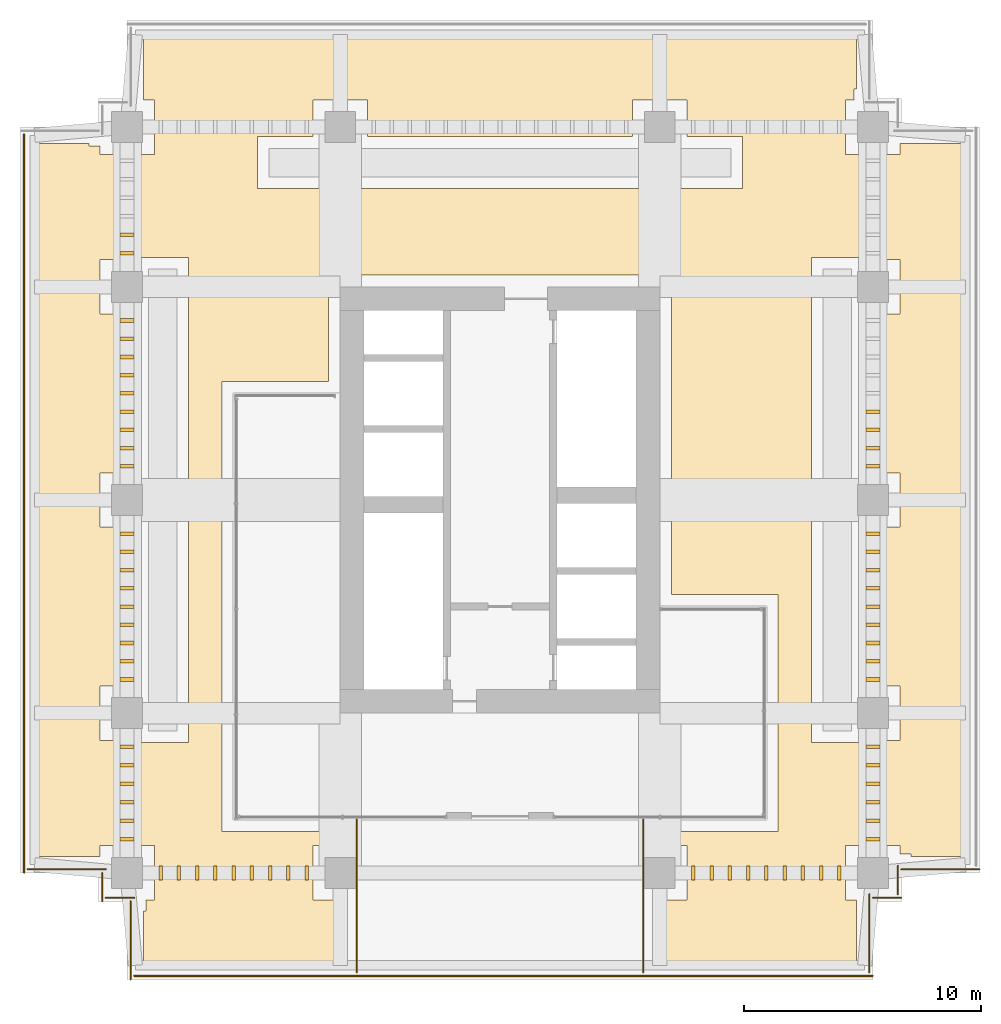
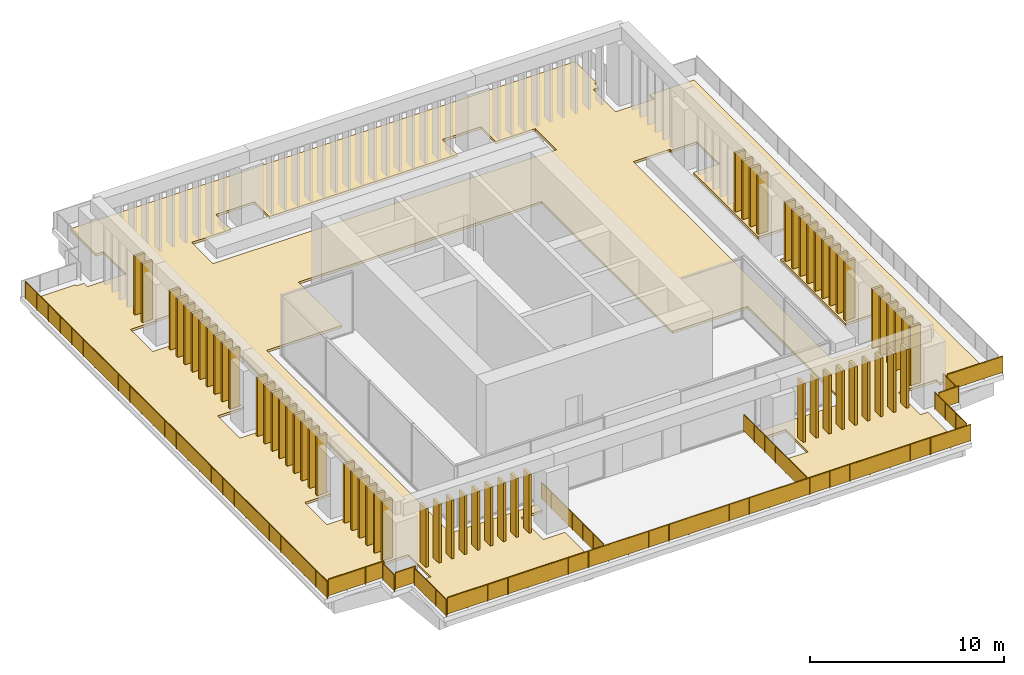
# One storey, part 8 of 9: 63 shading devices, 12 railings, 1 covering.
"""IFC4 building model written with IfcOpenShell, lengths in metres."""

from ifc_helpers import new_model, si_unit, direction, frame, origin, origin_2d, place, context, subcontext, project, spatial, polyline, rectangle, circle, outline, extrude, material, layer, layer_set, type_object, element, save


model = new_model("IFC4")

# Units and contexts
model_context = context("Model", 3, precision=1e-05, world=origin(), true_north=direction((0.0, 1.0)))
body_context = subcontext(model_context, "Body", "Model", "MODEL_VIEW")
ifc_project = project(units=[si_unit("LENGTHUNIT", "METRE"), si_unit("AREAUNIT", "SQUARE_METRE"), si_unit("VOLUMEUNIT", "CUBIC_METRE"), si_unit("PLANEANGLEUNIT", "RADIAN"), si_unit("MASSUNIT", "GRAM", prefix="KILO")], contexts=[model_context])

# Site, building, storey
site_placement = place(None, origin())
site = spatial("IfcSite", under=ifc_project, at=site_placement, CompositionType="ELEMENT")
building_placement = place(site_placement, origin())
building = spatial("IfcBuilding", under=site, at=building_placement, Name="Namib Vertical Campus", CompositionType="ELEMENT")
storey_placement = place(building_placement, frame((0.0, 0.0, 297.0)))
storey = spatial("IfcBuildingStorey", under=building, at=storey_placement, Name="L70", CompositionType="ELEMENT", Elevation=297.0)

# Shading devices
ifc_material_1 = material(Name="Black anodised aluminium", Category="aluminium")
ifc_layer_1 = layer(ifc_material_1, 0.14990234375)
ifc_layer_set_1 = layer_set([ifc_layer_1], Name="Crown screen fin 150x600")
shading_device_type = type_object("IfcShadingDeviceType", Name="Crown screen fin 150x600", PredefinedType="SHUTTER", material=ifc_layer_set_1)
for number, where, z_axis, x_axis, name in (
    (1, (5.919921875, 4.5, 0.14990234375), (0.0, 0.0, 1.0), (1.0, 0.0, 0.0), "Crown screen fin CF1 S 1"),
    (2, (6.68994140625, 4.5, 0.14990234375), (0.0, 0.0, 1.0), (1.0, 0.0, 0.0), "Crown screen fin CF1 S 2"),
    (3, (7.4599609375, 4.5, 0.14990234375), (0.0, 0.0, 1.0), (1.0, 0.0, 0.0), "Crown screen fin CF1 S 3"),
    (4, (8.22998046875, 4.5, 0.14990234375), (0.0, 0.0, 1.0), (1.0, 0.0, 0.0), "Crown screen fin CF1 S 4"),
    (5, (9.0, 4.5, 0.14990234375), (0.0, 0.0, 1.0), (1.0, 0.0, 0.0), "Crown screen fin CF1 S 5"),
    (6, (9.77001953125, 4.5, 0.14990234375), (0.0, 0.0, 1.0), (1.0, 0.0, 0.0), "Crown screen fin CF1 S 6"),
    (7, (10.5400390625, 4.5, 0.14990234375), (0.0, 0.0, 1.0), (1.0, 0.0, 0.0), "Crown screen fin CF1 S 7"),
    (8, (11.31005859375, 4.5, 0.14990234375), (0.0, 0.0, 1.0), (1.0, 0.0, 0.0), "Crown screen fin CF1 S 8"),
    (9, (12.080078125, 4.5, 0.14990234375), (0.0, 0.0, 1.0), (1.0, 0.0, 0.0), "Crown screen fin CF1 S 9"),
    (10, (28.419921875, 4.5, 0.14990234375), (0.0, 0.0, 1.0), (1.0, 0.0, 0.0), "Crown screen fin CF1 S 10"),
    (11, (29.18994140625, 4.5, 0.14990234375), (0.0, 0.0, 1.0), (1.0, 0.0, 0.0), "Crown screen fin CF1 S 11"),
    (12, (29.9599609375, 4.5, 0.14990234375), (0.0, 0.0, 1.0), (1.0, 0.0, 0.0), "Crown screen fin CF1 S 12"),
    (13, (30.72998046875, 4.5, 0.14990234375), (0.0, 0.0, 1.0), (1.0, 0.0, 0.0), "Crown screen fin CF1 S 13"),
    (14, (31.5, 4.5, 0.14990234375), (0.0, 0.0, 1.0), (1.0, 0.0, 0.0), "Crown screen fin CF1 S 14"),
    (15, (32.27001953125, 4.5, 0.14990234375), (0.0, 0.0, 1.0), (1.0, 0.0, 0.0), "Crown screen fin CF1 S 15"),
    (16, (33.0400390625, 4.5, 0.14990234375), (0.0, 0.0, 1.0), (1.0, 0.0, 0.0), "Crown screen fin CF1 S 16"),
    (17, (33.81005859375, 4.5, 0.14990234375), (0.0, 0.0, 1.0), (1.0, 0.0, 0.0), "Crown screen fin CF1 S 17"),
    (18, (34.580078125, 4.5, 0.14990234375), (0.0, 0.0, 1.0), (1.0, 0.0, 0.0), "Crown screen fin CF1 S 18"),
    (19, (36.0, 5.928466796875, 0.14990234375), (0.0, 0.0, 1.0), (0.0, 1.0, 0.0), "Crown screen fin CF1 E 1"),
    (20, (36.0, 6.70703125, 0.14990234375), (0.0, 0.0, 1.0), (0.0, 1.0, 0.0), "Crown screen fin CF1 E 2"),
    (21, (36.0, 7.485595703125, 0.14990234375), (0.0, 0.0, 1.0), (0.0, 1.0, 0.0), "Crown screen fin CF1 E 3"),
    (22, (36.0, 8.264404296875, 0.14990234375), (0.0, 0.0, 1.0), (0.0, 1.0, 0.0), "Crown screen fin CF1 E 4"),
    (23, (36.0, 9.04296875, 0.14990234375), (0.0, 0.0, 1.0), (0.0, 1.0, 0.0), "Crown screen fin CF1 E 5"),
    (24, (36.0, 9.821533203125, 0.14990234375), (0.0, 0.0, 1.0), (0.0, 1.0, 0.0), "Crown screen fin CF1 E 6"),
    (25, (36.0, 12.669921875, 0.14990234375), (0.0, 0.0, 1.0), (0.0, 1.0, 0.0), "Crown screen fin CF1 E 7"),
    (26, (36.0, 13.43994140625, 0.14990234375), (0.0, 0.0, 1.0), (0.0, 1.0, 0.0), "Crown screen fin CF1 E 8"),
    (27, (36.0, 14.2099609375, 0.14990234375), (0.0, 0.0, 1.0), (0.0, 1.0, 0.0), "Crown screen fin CF1 E 9"),
    (28, (36.0, 14.97998046875, 0.14990234375), (0.0, 0.0, 1.0), (0.0, 1.0, 0.0), "Crown screen fin CF1 E 10"),
    (29, (36.0, 15.75, 0.14990234375), (0.0, 0.0, 1.0), (0.0, 1.0, 0.0), "Crown screen fin CF1 E 11"),
    (30, (36.0, 16.52001953125, 0.14990234375), (0.0, 0.0, 1.0), (0.0, 1.0, 0.0), "Crown screen fin CF1 E 12"),
    (31, (36.0, 17.2900390625, 0.14990234375), (0.0, 0.0, 1.0), (0.0, 1.0, 0.0), "Crown screen fin CF1 E 13"),
    (32, (36.0, 18.06005859375, 0.14990234375), (0.0, 0.0, 1.0), (0.0, 1.0, 0.0), "Crown screen fin CF1 E 14"),
    (33, (36.0, 18.830078125, 0.14990234375), (0.0, 0.0, 1.0), (0.0, 1.0, 0.0), "Crown screen fin CF1 E 15"),
    (34, (36.0, 21.669921875, 0.14990234375), (0.0, 0.0, 1.0), (0.0, 1.0, 0.0), "Crown screen fin CF1 E 16"),
    (35, (36.0, 22.43994140625, 0.14990234375), (0.0, 0.0, 1.0), (0.0, 1.0, 0.0), "Crown screen fin CF1 E 17"),
    (36, (36.0, 23.2099609375, 0.14990234375), (0.0, 0.0, 1.0), (0.0, 1.0, 0.0), "Crown screen fin CF1 E 18"),
    (37, (36.0, 23.97998046875, 0.14990234375), (0.0, 0.0, 1.0), (0.0, 1.0, 0.0), "Crown screen fin CF1 E 19"),
    (38, (4.5, 31.45703125, 0.14990234375), (0.0, 0.0, 1.0), (0.0, -1.0, 0.0), "Crown screen fin CF1 W 5"),
    (39, (4.5, 30.678466796875, 0.14990234375), (0.0, 0.0, 1.0), (0.0, -1.0, 0.0), "Crown screen fin CF1 W 6"),
    (40, (4.5, 27.830078125, 0.14990234375), (0.0, 0.0, 1.0), (0.0, -1.0, 0.0), "Crown screen fin CF1 W 7"),
    (41, (4.5, 27.06005859375, 0.14990234375), (0.0, 0.0, 1.0), (0.0, -1.0, 0.0), "Crown screen fin CF1 W 8"),
    (42, (4.5, 26.2900390625, 0.14990234375), (0.0, 0.0, 1.0), (0.0, -1.0, 0.0), "Crown screen fin CF1 W 9"),
    (43, (4.5, 25.52001953125, 0.14990234375), (0.0, 0.0, 1.0), (0.0, -1.0, 0.0), "Crown screen fin CF1 W 10"),
    (44, (4.5, 24.75, 0.14990234375), (0.0, 0.0, 1.0), (0.0, -1.0, 0.0), "Crown screen fin CF1 W 11"),
    (45, (4.5, 23.97998046875, 0.14990234375), (0.0, 0.0, 1.0), (0.0, -1.0, 0.0), "Crown screen fin CF1 W 12"),
    (46, (4.5, 23.2099609375, 0.14990234375), (0.0, 0.0, 1.0), (0.0, -1.0, 0.0), "Crown screen fin CF1 W 13"),
    (47, (4.5, 22.43994140625, 0.14990234375), (0.0, 0.0, 1.0), (0.0, -1.0, 0.0), "Crown screen fin CF1 W 14"),
    (48, (4.5, 21.669921875, 0.14990234375), (0.0, 0.0, 1.0), (0.0, -1.0, 0.0), "Crown screen fin CF1 W 15"),
    (49, (4.5, 18.830078125, 0.14990234375), (0.0, 0.0, 1.0), (0.0, -1.0, 0.0), "Crown screen fin CF1 W 16"),
    (50, (4.5, 18.06005859375, 0.14990234375), (0.0, 0.0, 1.0), (0.0, -1.0, 0.0), "Crown screen fin CF1 W 17"),
    (51, (4.5, 17.2900390625, 0.14990234375), (0.0, 0.0, 1.0), (0.0, -1.0, 0.0), "Crown screen fin CF1 W 18"),
    (52, (4.5, 16.52001953125, 0.14990234375), (0.0, 0.0, 1.0), (0.0, -1.0, 0.0), "Crown screen fin CF1 W 19"),
    (53, (4.5, 15.75, 0.14990234375), (0.0, 0.0, 1.0), (0.0, -1.0, 0.0), "Crown screen fin CF1 W 20"),
    (54, (4.5, 14.97998046875, 0.14990234375), (0.0, 0.0, 1.0), (0.0, -1.0, 0.0), "Crown screen fin CF1 W 21"),
    (55, (4.5, 14.2099609375, 0.14990234375), (0.0, 0.0, 1.0), (0.0, -1.0, 0.0), "Crown screen fin CF1 W 22"),
    (56, (4.5, 13.43994140625, 0.14990234375), (0.0, 0.0, 1.0), (0.0, -1.0, 0.0), "Crown screen fin CF1 W 23"),
    (57, (4.5, 12.669921875, 0.14990234375), (0.0, 0.0, 1.0), (0.0, -1.0, 0.0), "Crown screen fin CF1 W 24"),
    (58, (4.5, 9.821533203125, 0.14990234375), (0.0, 0.0, 1.0), (0.0, -1.0, 0.0), "Crown screen fin CF1 W 25"),
    (59, (4.5, 9.04296875, 0.14990234375), (0.0, 0.0, 1.0), (0.0, -1.0, 0.0), "Crown screen fin CF1 W 26"),
    (60, (4.5, 8.264404296875, 0.14990234375), (0.0, 0.0, 1.0), (0.0, -1.0, 0.0), "Crown screen fin CF1 W 27"),
    (61, (4.5, 7.485595703125, 0.14990234375), (0.0, 0.0, 1.0), (0.0, -1.0, 0.0), "Crown screen fin CF1 W 28"),
    (62, (4.5, 6.70703125, 0.14990234375), (0.0, 0.0, 1.0), (0.0, -1.0, 0.0), "Crown screen fin CF1 W 29"),
    (63, (4.5, 5.928466796875, 0.14990234375), (0.0, 0.0, 1.0), (0.0, -1.0, 0.0), "Crown screen fin CF1 W 30"),
):
    element("IfcShadingDevice", number, at=place(storey_placement, frame(where, z_axis=z_axis, x_axis=x_axis)), inside=storey, type_object=shading_device_type, Name=name, PredefinedType="SHUTTER", context=body_context, shape_type="SweptSolid", body=[
        extrude(rectangle(XDim=0.14990234375, YDim=0.60009765625, at=origin_2d()), origin(), (0.0, 0.0, 1.0), 3.699951171875),
    ])

# Railings
ifc_material_2 = material(Name="Toughened glass balustrade", Category="glass")
railing_type = type_object("IfcRailingType", Name="Edge guard 1100", PredefinedType="GUARDRAIL", material=ifc_material_2)
railing_1_placement = place(storey_placement, frame((4.800048828125, 0.14990234375, 0.0)))
element("IfcRailing", 64, at=railing_1_placement, inside=storey, type_object=railing_type, Name="Sky garden guard GR2 1", PredefinedType="GUARDRAIL", context=body_context, shape_type="SweptSolid", body=[
    extrude(circle(Radius=0.02392578125, at=origin_2d()), frame((0.0, 0.0, 1.076171875), z_axis=(1.0, 0.0, 0.0), x_axis=(0.0, 1.0, 0.0)), (0.0, 0.0, 1.0), 31.199951171875),
    extrude(outline(polyline([(0.02099609375, 0.050048828125), (31.178955078125, 0.050048828125), (31.178955078125, 1.052001953125), (0.02099609375, 1.052001953125), (0.02099609375, 0.050048828125)])), frame((0.0, 0.0107421875, 0.0), z_axis=(0.0, -1.0, 0.0), x_axis=(1.0, 0.0, 0.0)), (0.0, 0.0, 1.0), 0.021484375),
    extrude(circle(Radius=0.02099609375, at=origin_2d()), origin(), (0.0, 0.0, 1.0), 1.052001953125),
    extrude(circle(Radius=0.02099609375, at=origin_2d()), frame((1.199951171875, 0.0, 0.0)), (0.0, 0.0, 1.0), 1.052001953125),
    extrude(circle(Radius=0.02099609375, at=origin_2d()), frame((2.39990234375, 0.0, 0.0)), (0.0, 0.0, 1.0), 1.052001953125),
    extrude(circle(Radius=0.02099609375, at=origin_2d()), frame((3.60009765625, 0.0, 0.0)), (0.0, 0.0, 1.0), 1.052001953125),
    extrude(circle(Radius=0.02099609375, at=origin_2d()), frame((4.800048828125, 0.0, 0.0)), (0.0, 0.0, 1.0), 1.052001953125),
    extrude(circle(Radius=0.02099609375, at=origin_2d()), frame((6.0, 0.0, 0.0)), (0.0, 0.0, 1.0), 1.052001953125),
    extrude(circle(Radius=0.02099609375, at=origin_2d()), frame((7.199951171875, 0.0, 0.0)), (0.0, 0.0, 1.0), 1.052001953125),
    extrude(circle(Radius=0.02099609375, at=origin_2d()), frame((8.39990234375, 0.0, 0.0)), (0.0, 0.0, 1.0), 1.052001953125),
    extrude(circle(Radius=0.02099609375, at=origin_2d()), frame((9.60009765625, 0.0, 0.0)), (0.0, 0.0, 1.0), 1.052001953125),
    extrude(circle(Radius=0.02099609375, at=origin_2d()), frame((10.800048828125, 0.0, 0.0)), (0.0, 0.0, 1.0), 1.052001953125),
    extrude(circle(Radius=0.02099609375, at=origin_2d()), frame((12.0, 0.0, 0.0)), (0.0, 0.0, 1.0), 1.052001953125),
    extrude(circle(Radius=0.02099609375, at=origin_2d()), frame((13.199951171875, 0.0, 0.0)), (0.0, 0.0, 1.0), 1.052001953125),
    extrude(circle(Radius=0.02099609375, at=origin_2d()), frame((14.39990234375, 0.0, 0.0)), (0.0, 0.0, 1.0), 1.052001953125),
    extrude(circle(Radius=0.02099609375, at=origin_2d()), frame((15.60009765625, 0.0, 0.0)), (0.0, 0.0, 1.0), 1.052001953125),
    extrude(circle(Radius=0.02099609375, at=origin_2d()), frame((16.800048828125, 0.0, 0.0)), (0.0, 0.0, 1.0), 1.052001953125),
    extrude(circle(Radius=0.02099609375, at=origin_2d()), frame((18.0, 0.0, 0.0)), (0.0, 0.0, 1.0), 1.052001953125),
    extrude(circle(Radius=0.02099609375, at=origin_2d()), frame((19.199951171875, 0.0, 0.0)), (0.0, 0.0, 1.0), 1.052001953125),
    extrude(circle(Radius=0.02099609375, at=origin_2d()), frame((20.39990234375, 0.0, 0.0)), (0.0, 0.0, 1.0), 1.052001953125),
    extrude(circle(Radius=0.02099609375, at=origin_2d()), frame((21.599853515625, 0.0, 0.0)), (0.0, 0.0, 1.0), 1.052001953125),
    extrude(circle(Radius=0.02099609375, at=origin_2d()), frame((22.800048828125, 0.0, 0.0)), (0.0, 0.0, 1.0), 1.052001953125),
    extrude(circle(Radius=0.02099609375, at=origin_2d()), frame((24.0, 0.0, 0.0)), (0.0, 0.0, 1.0), 1.052001953125),
    extrude(circle(Radius=0.02099609375, at=origin_2d()), frame((25.199951171875, 0.0, 0.0)), (0.0, 0.0, 1.0), 1.052001953125),
    extrude(circle(Radius=0.02099609375, at=origin_2d()), frame((26.39990234375, 0.0, 0.0)), (0.0, 0.0, 1.0), 1.052001953125),
    extrude(circle(Radius=0.02099609375, at=origin_2d()), frame((27.599853515625, 0.0, 0.0)), (0.0, 0.0, 1.0), 1.052001953125),
    extrude(circle(Radius=0.02099609375, at=origin_2d()), frame((28.800048828125, 0.0, 0.0)), (0.0, 0.0, 1.0), 1.052001953125),
    extrude(circle(Radius=0.02099609375, at=origin_2d()), frame((30.0, 0.0, 0.0)), (0.0, 0.0, 1.0), 1.052001953125),
    extrude(circle(Radius=0.02099609375, at=origin_2d()), frame((31.199951171875, 0.0, 0.0)), (0.0, 0.0, 1.0), 1.052001953125),
])
railing_2_placement = place(storey_placement, frame((35.85009765625, 0.300048828125, 0.0)))
element("IfcRailing", 65, at=railing_2_placement, inside=storey, type_object=railing_type, Name="Sky garden guard GR2 2", PredefinedType="GUARDRAIL", context=body_context, shape_type="SweptSolid", body=[
    extrude(circle(Radius=0.02392578125, at=origin_2d()), frame((0.0, 0.0, 1.076171875), z_axis=(0.0, 1.0, 0.0), x_axis=(-1.0, 0.0, 0.0)), (0.0, 0.0, 1.0), 3.300048828125),
    extrude(outline(polyline([(0.02099609375, 0.050048828125), (3.279052734375, 0.050048828125), (3.279052734375, 1.052001953125), (0.02099609375, 1.052001953125), (0.02099609375, 0.050048828125)])), frame((-0.0107421875, 0.0, 0.0), z_axis=(1.0, 0.0, 0.0), x_axis=(0.0, 1.0, 0.0)), (0.0, 0.0, 1.0), 0.021484375),
    extrude(circle(Radius=0.02099609375, at=origin_2d()), origin(), (0.0, 0.0, 1.0), 1.052001953125),
    extrude(circle(Radius=0.02099609375, at=origin_2d()), frame((0.0, 1.10009765625, 0.0)), (0.0, 0.0, 1.0), 1.052001953125),
    extrude(circle(Radius=0.02099609375, at=origin_2d()), frame((0.0, 2.199951171875, 0.0)), (0.0, 0.0, 1.0), 1.052001953125),
    extrude(circle(Radius=0.02099609375, at=origin_2d()), frame((0.0, 3.300048828125, 0.0)), (0.0, 0.0, 1.0), 1.052001953125),
])
railing_3_placement = place(storey_placement, frame((36.0, 3.449951171875, 0.0)))
element("IfcRailing", 66, at=railing_3_placement, inside=storey, type_object=railing_type, Name="Sky garden guard GR2 3", PredefinedType="GUARDRAIL", context=body_context, shape_type="SweptSolid", body=[
    extrude(circle(Radius=0.02392578125, at=origin_2d()), frame((0.0, 0.0, 1.076171875), z_axis=(1.0, 0.0, 0.0), x_axis=(0.0, 1.0, 0.0)), (0.0, 0.0, 1.0), 1.199951171875),
    extrude(outline(polyline([(0.02099609375, 0.050048828125), (1.178955078125, 0.050048828125), (1.178955078125, 1.052001953125), (0.02099609375, 1.052001953125), (0.02099609375, 0.050048828125)])), frame((0.0, 0.0107421875, 0.0), z_axis=(0.0, -1.0, 0.0), x_axis=(1.0, 0.0, 0.0)), (0.0, 0.0, 1.0), 0.021484375),
    extrude(circle(Radius=0.02099609375, at=origin_2d()), origin(), (0.0, 0.0, 1.0), 1.052001953125),
    extrude(circle(Radius=0.02099609375, at=origin_2d()), frame((1.199951171875, 0.0, 0.0)), (0.0, 0.0, 1.0), 1.052001953125),
])
railing_4_placement = place(storey_placement, frame((37.050048828125, 3.60009765625, 0.0)))
element("IfcRailing", 67, at=railing_4_placement, inside=storey, type_object=railing_type, Name="Sky garden guard GR2 4", PredefinedType="GUARDRAIL", context=body_context, shape_type="SweptSolid", body=[
    extrude(circle(Radius=0.02392578125, at=origin_2d()), frame((0.0, 0.0, 1.076171875), z_axis=(0.0, 1.0, 0.0), x_axis=(-1.0, 0.0, 0.0)), (0.0, 0.0, 1.0), 1.199951171875),
    extrude(outline(polyline([(0.02099609375, 0.050048828125), (1.178955078125, 0.050048828125), (1.178955078125, 1.052001953125), (0.02099609375, 1.052001953125), (0.02099609375, 0.050048828125)])), frame((-0.0107421875, 0.0, 0.0), z_axis=(1.0, 0.0, 0.0), x_axis=(0.0, 1.0, 0.0)), (0.0, 0.0, 1.0), 0.021484375),
    extrude(circle(Radius=0.02099609375, at=origin_2d()), origin(), (0.0, 0.0, 1.0), 1.052001953125),
    extrude(circle(Radius=0.02099609375, at=origin_2d()), frame((0.0, 1.199951171875, 0.0)), (0.0, 0.0, 1.0), 1.052001953125),
])
railing_5_placement = place(storey_placement, frame((37.199951171875, 4.64990234375, 0.0)))
element("IfcRailing", 68, at=railing_5_placement, inside=storey, type_object=railing_type, Name="Sky garden guard GR2 5", PredefinedType="GUARDRAIL", context=body_context, shape_type="SweptSolid", body=[
    extrude(circle(Radius=0.02392578125, at=origin_2d()), frame((0.0, 0.0, 1.076171875), z_axis=(1.0, 0.0, 0.0), x_axis=(0.0, 1.0, 0.0)), (0.0, 0.0, 1.0), 3.300048828125),
    extrude(outline(polyline([(0.02099609375, 0.050048828125), (3.279052734375, 0.050048828125), (3.279052734375, 1.052001953125), (0.02099609375, 1.052001953125), (0.02099609375, 0.050048828125)])), frame((0.0, 0.0107421875, 0.0), z_axis=(0.0, -1.0, 0.0), x_axis=(1.0, 0.0, 0.0)), (0.0, 0.0, 1.0), 0.021484375),
    extrude(circle(Radius=0.02099609375, at=origin_2d()), origin(), (0.0, 0.0, 1.0), 1.052001953125),
    extrude(circle(Radius=0.02099609375, at=origin_2d()), frame((1.10009765625, 0.0, 0.0)), (0.0, 0.0, 1.0), 1.052001953125),
    extrude(circle(Radius=0.02099609375, at=origin_2d()), frame((2.199951171875, 0.0, 0.0)), (0.0, 0.0, 1.0), 1.052001953125),
    extrude(circle(Radius=0.02099609375, at=origin_2d()), frame((3.300048828125, 0.0, 0.0)), (0.0, 0.0, 1.0), 1.052001953125),
])
railing_6_placement = place(storey_placement, frame((0.14990234375, 35.699951171875, 0.0)))
element("IfcRailing", 69, at=railing_6_placement, inside=storey, type_object=railing_type, Name="Sky garden guard GR2 16", PredefinedType="GUARDRAIL", context=body_context, shape_type="SweptSolid", body=[
    extrude(circle(Radius=0.02392578125, at=origin_2d()), frame((0.0, 0.0, 1.076171875), z_axis=(0.0, -1.0, 0.0), x_axis=(1.0, 0.0, 0.0)), (0.0, 0.0, 1.0), 31.199951171875),
    extrude(outline(polyline([(0.02099609375, 0.050048828125), (31.178955078125, 0.050048828125), (31.178955078125, 1.052001953125), (0.02099609375, 1.052001953125), (0.02099609375, 0.050048828125)])), frame((0.0107421875, 0.0, 0.0), z_axis=(-1.0, 0.0, 0.0), x_axis=(0.0, -1.0, 0.0)), (0.0, 0.0, 1.0), 0.021484375),
    extrude(circle(Radius=0.02099609375, at=origin_2d()), origin(), (0.0, 0.0, 1.0), 1.052001953125),
    extrude(circle(Radius=0.02099609375, at=origin_2d()), frame((0.0, -1.199951171875, 0.0)), (0.0, 0.0, 1.0), 1.052001953125),
    extrude(circle(Radius=0.02099609375, at=origin_2d()), frame((0.0, -2.39990234375, 0.0)), (0.0, 0.0, 1.0), 1.052001953125),
    extrude(circle(Radius=0.02099609375, at=origin_2d()), frame((0.0, -3.60009765625, 0.0)), (0.0, 0.0, 1.0), 1.052001953125),
    extrude(circle(Radius=0.02099609375, at=origin_2d()), frame((0.0, -4.800048828125, 0.0)), (0.0, 0.0, 1.0), 1.052001953125),
    extrude(circle(Radius=0.02099609375, at=origin_2d()), frame((0.0, -6.0, 0.0)), (0.0, 0.0, 1.0), 1.052001953125),
    extrude(circle(Radius=0.02099609375, at=origin_2d()), frame((0.0, -7.199951171875, 0.0)), (0.0, 0.0, 1.0), 1.052001953125),
    extrude(circle(Radius=0.02099609375, at=origin_2d()), frame((0.0, -8.39990234375, 0.0)), (0.0, 0.0, 1.0), 1.052001953125),
    extrude(circle(Radius=0.02099609375, at=origin_2d()), frame((0.0, -9.60009765625, 0.0)), (0.0, 0.0, 1.0), 1.052001953125),
    extrude(circle(Radius=0.02099609375, at=origin_2d()), frame((0.0, -10.800048828125, 0.0)), (0.0, 0.0, 1.0), 1.052001953125),
    extrude(circle(Radius=0.02099609375, at=origin_2d()), frame((0.0, -12.0, 0.0)), (0.0, 0.0, 1.0), 1.052001953125),
    extrude(circle(Radius=0.02099609375, at=origin_2d()), frame((0.0, -13.199951171875, 0.0)), (0.0, 0.0, 1.0), 1.052001953125),
    extrude(circle(Radius=0.02099609375, at=origin_2d()), frame((0.0, -14.39990234375, 0.0)), (0.0, 0.0, 1.0), 1.052001953125),
    extrude(circle(Radius=0.02099609375, at=origin_2d()), frame((0.0, -15.60009765625, 0.0)), (0.0, 0.0, 1.0), 1.052001953125),
    extrude(circle(Radius=0.02099609375, at=origin_2d()), frame((0.0, -16.800048828125, 0.0)), (0.0, 0.0, 1.0), 1.052001953125),
    extrude(circle(Radius=0.02099609375, at=origin_2d()), frame((0.0, -18.0, 0.0)), (0.0, 0.0, 1.0), 1.052001953125),
    extrude(circle(Radius=0.02099609375, at=origin_2d()), frame((0.0, -19.199951171875, 0.0)), (0.0, 0.0, 1.0), 1.052001953125),
    extrude(circle(Radius=0.02099609375, at=origin_2d()), frame((0.0, -20.39990234375, 0.0)), (0.0, 0.0, 1.0), 1.052001953125),
    extrude(circle(Radius=0.02099609375, at=origin_2d()), frame((0.0, -21.599853515625, 0.0)), (0.0, 0.0, 1.0), 1.052001953125),
    extrude(circle(Radius=0.02099609375, at=origin_2d()), frame((0.0, -22.800048828125, 0.0)), (0.0, 0.0, 1.0), 1.052001953125),
    extrude(circle(Radius=0.02099609375, at=origin_2d()), frame((0.0, -24.0, 0.0)), (0.0, 0.0, 1.0), 1.052001953125),
    extrude(circle(Radius=0.02099609375, at=origin_2d()), frame((0.0, -25.199951171875, 0.0)), (0.0, 0.0, 1.0), 1.052001953125),
    extrude(circle(Radius=0.02099609375, at=origin_2d()), frame((0.0, -26.39990234375, 0.0)), (0.0, 0.0, 1.0), 1.052001953125),
    extrude(circle(Radius=0.02099609375, at=origin_2d()), frame((0.0, -27.599853515625, 0.0)), (0.0, 0.0, 1.0), 1.052001953125),
    extrude(circle(Radius=0.02099609375, at=origin_2d()), frame((0.0, -28.800048828125, 0.0)), (0.0, 0.0, 1.0), 1.052001953125),
    extrude(circle(Radius=0.02099609375, at=origin_2d()), frame((0.0, -30.0, 0.0)), (0.0, 0.0, 1.0), 1.052001953125),
    extrude(circle(Radius=0.02099609375, at=origin_2d()), frame((0.0, -31.199951171875, 0.0)), (0.0, 0.0, 1.0), 1.052001953125),
])
railing_7_placement = place(storey_placement, frame((0.300048828125, 4.64990234375, 0.0)))
element("IfcRailing", 70, at=railing_7_placement, inside=storey, type_object=railing_type, Name="Sky garden guard GR2 17", PredefinedType="GUARDRAIL", context=body_context, shape_type="SweptSolid", body=[
    extrude(circle(Radius=0.02392578125, at=origin_2d()), frame((0.0, 0.0, 1.076171875), z_axis=(1.0, 0.0, 0.0), x_axis=(0.0, 1.0, 0.0)), (0.0, 0.0, 1.0), 3.300048828125),
    extrude(outline(polyline([(0.02099609375, 0.050048828125), (3.279052734375, 0.050048828125), (3.279052734375, 1.052001953125), (0.02099609375, 1.052001953125), (0.02099609375, 0.050048828125)])), frame((0.0, 0.0107421875, 0.0), z_axis=(0.0, -1.0, 0.0), x_axis=(1.0, 0.0, 0.0)), (0.0, 0.0, 1.0), 0.021484375),
    extrude(circle(Radius=0.02099609375, at=origin_2d()), origin(), (0.0, 0.0, 1.0), 1.052001953125),
    extrude(circle(Radius=0.02099609375, at=origin_2d()), frame((1.10009765625, 0.0, 0.0)), (0.0, 0.0, 1.0), 1.052001953125),
    extrude(circle(Radius=0.02099609375, at=origin_2d()), frame((2.199951171875, 0.0, 0.0)), (0.0, 0.0, 1.0), 1.052001953125),
    extrude(circle(Radius=0.02099609375, at=origin_2d()), frame((3.300048828125, 0.0, 0.0)), (0.0, 0.0, 1.0), 1.052001953125),
])
railing_8_placement = place(storey_placement, frame((3.449951171875, 4.5, 0.0)))
element("IfcRailing", 71, at=railing_8_placement, inside=storey, type_object=railing_type, Name="Sky garden guard GR2 18", PredefinedType="GUARDRAIL", context=body_context, shape_type="SweptSolid", body=[
    extrude(circle(Radius=0.02392578125, at=origin_2d()), frame((0.0, 0.0, 1.076171875), z_axis=(0.0, -1.0, 0.0), x_axis=(1.0, 0.0, 0.0)), (0.0, 0.0, 1.0), 1.199951171875),
    extrude(outline(polyline([(0.02099609375, 0.050048828125), (1.178955078125, 0.050048828125), (1.178955078125, 1.052001953125), (0.02099609375, 1.052001953125), (0.02099609375, 0.050048828125)])), frame((0.0107421875, 0.0, 0.0), z_axis=(-1.0, 0.0, 0.0), x_axis=(0.0, -1.0, 0.0)), (0.0, 0.0, 1.0), 0.021484375),
    extrude(circle(Radius=0.02099609375, at=origin_2d()), origin(), (0.0, 0.0, 1.0), 1.052001953125),
    extrude(circle(Radius=0.02099609375, at=origin_2d()), frame((0.0, -1.199951171875, 0.0)), (0.0, 0.0, 1.0), 1.052001953125),
])
railing_9_placement = place(storey_placement, frame((3.60009765625, 3.449951171875, 0.0)))
element("IfcRailing", 72, at=railing_9_placement, inside=storey, type_object=railing_type, Name="Sky garden guard GR2 19", PredefinedType="GUARDRAIL", context=body_context, shape_type="SweptSolid", body=[
    extrude(circle(Radius=0.02392578125, at=origin_2d()), frame((0.0, 0.0, 1.076171875), z_axis=(1.0, 0.0, 0.0), x_axis=(0.0, 1.0, 0.0)), (0.0, 0.0, 1.0), 1.199951171875),
    extrude(outline(polyline([(0.02099609375, 0.050048828125), (1.178955078125, 0.050048828125), (1.178955078125, 1.052001953125), (0.02099609375, 1.052001953125), (0.02099609375, 0.050048828125)])), frame((0.0, 0.0107421875, 0.0), z_axis=(0.0, -1.0, 0.0), x_axis=(1.0, 0.0, 0.0)), (0.0, 0.0, 1.0), 0.021484375),
    extrude(circle(Radius=0.02099609375, at=origin_2d()), origin(), (0.0, 0.0, 1.0), 1.052001953125),
    extrude(circle(Radius=0.02099609375, at=origin_2d()), frame((1.199951171875, 0.0, 0.0)), (0.0, 0.0, 1.0), 1.052001953125),
])
railing_10_placement = place(storey_placement, frame((4.64990234375, 3.300048828125, 0.0)))
element("IfcRailing", 73, at=railing_10_placement, inside=storey, type_object=railing_type, Name="Sky garden guard GR2 20", PredefinedType="GUARDRAIL", context=body_context, shape_type="SweptSolid", body=[
    extrude(circle(Radius=0.02392578125, at=origin_2d()), frame((0.0, 0.0, 1.076171875), z_axis=(0.0, -1.0, 0.0), x_axis=(1.0, 0.0, 0.0)), (0.0, 0.0, 1.0), 3.300048828125),
    extrude(outline(polyline([(0.02099609375, 0.050048828125), (3.279052734375, 0.050048828125), (3.279052734375, 1.052001953125), (0.02099609375, 1.052001953125), (0.02099609375, 0.050048828125)])), frame((0.0107421875, 0.0, 0.0), z_axis=(-1.0, 0.0, 0.0), x_axis=(0.0, -1.0, 0.0)), (0.0, 0.0, 1.0), 0.021484375),
    extrude(circle(Radius=0.02099609375, at=origin_2d()), origin(), (0.0, 0.0, 1.0), 1.052001953125),
    extrude(circle(Radius=0.02099609375, at=origin_2d()), frame((0.0, -1.10009765625, 0.0)), (0.0, 0.0, 1.0), 1.052001953125),
    extrude(circle(Radius=0.02099609375, at=origin_2d()), frame((0.0, -2.199951171875, 0.0)), (0.0, 0.0, 1.0), 1.052001953125),
    extrude(circle(Radius=0.02099609375, at=origin_2d()), frame((0.0, -3.300048828125, 0.0)), (0.0, 0.0, 1.0), 1.052001953125),
])
for number, where, name in (
    (74, (14.199951171875, 0.300048828125, 0.0), "Planting edge guard GR2 1"),
    (75, (26.300048828125, 0.300048828125, 0.0), "Planting edge guard GR2 2"),
):
    element("IfcRailing", number, at=place(storey_placement, frame(where)), inside=storey, type_object=railing_type, Name=name, PredefinedType="GUARDRAIL", context=body_context, shape_type="SweptSolid", body=[
        extrude(circle(Radius=0.02392578125, at=origin_2d()), frame((0.0, 0.0, 1.076171875), z_axis=(0.0, 1.0, 0.0), x_axis=(-1.0, 0.0, 0.0)), (0.0, 0.0, 1.0), 6.449951171875),
        extrude(outline(polyline([(0.02099609375, 0.050048828125), (6.428955078125, 0.050048828125), (6.428955078125, 1.052001953125), (0.02099609375, 1.052001953125), (0.02099609375, 0.050048828125)])), frame((-0.0107421875, 0.0, 0.0), z_axis=(1.0, 0.0, 0.0), x_axis=(0.0, 1.0, 0.0)), (0.0, 0.0, 1.0), 0.021484375),
        extrude(circle(Radius=0.02099609375, at=origin_2d()), origin(), (0.0, 0.0, 1.0), 1.052001953125),
        extrude(circle(Radius=0.02099609375, at=origin_2d()), frame((0.0, 1.074951171875, 0.0)), (0.0, 0.0, 1.0), 1.052001953125),
        extrude(circle(Radius=0.02099609375, at=origin_2d()), frame((0.0, 2.14990234375, 0.0)), (0.0, 0.0, 1.0), 1.052001953125),
        extrude(circle(Radius=0.02099609375, at=origin_2d()), frame((0.0, 3.22509765625, 0.0)), (0.0, 0.0, 1.0), 1.052001953125),
        extrude(circle(Radius=0.02099609375, at=origin_2d()), frame((0.0, 4.300048828125, 0.0)), (0.0, 0.0, 1.0), 1.052001953125),
        extrude(circle(Radius=0.02099609375, at=origin_2d()), frame((0.0, 5.375, 0.0)), (0.0, 0.0, 1.0), 1.052001953125),
        extrude(circle(Radius=0.02099609375, at=origin_2d()), frame((0.0, 6.449951171875, 0.0)), (0.0, 0.0, 1.0), 1.052001953125),
    ])

# Covering
ifc_material_3 = material(Name="Extensive green roof: substrate on filter fleece, drainage board, root barrier and waterproofing", Category="growing medium")
ifc_layer_2 = layer(ifc_material_3, 0.14990234375)
ifc_layer_set_2 = layer_set([ifc_layer_2], Name="Green roof build-up 150")
covering_type = type_object("IfcCoveringType", Name="Green roof build-up 150", PredefinedType="ROOFING", material=ifc_layer_set_2)
covering_placement = place(storey_placement, origin())
element("IfcCovering", 76, at=covering_placement, inside=storey, type_object=covering_type, Name="Roof build-up RC1 sky garden roof 1", PredefinedType="ROOFING", context=body_context, shape_type="SweptSolid", body=[
    extrude(outline(polyline([(2.89990234375, 35.300048828125), (0.699951171875, 35.300048828125), (0.699951171875, 5.199951171875), (3.35009765625, 5.199951171875), (3.35009765625, 5.64990234375), (5.64990234375, 5.64990234375), (5.64990234375, 3.35009765625), (5.300048828125, 3.35009765625), (5.300048828125, 2.89990234375), (5.199951171875, 2.89990234375), (5.199951171875, 0.699951171875), (13.64990234375, 0.699951171875), (13.64990234375, 3.35009765625), (12.35009765625, 3.35009765625), (12.35009765625, 5.64990234375), (13.64990234375, 5.64990234375), (13.64990234375, 6.25), (8.5, 6.25), (8.5, 25.25), (13.0, 25.25), (13.0, 29.75), (27.5, 29.75), (27.5, 16.25), (32.0, 16.25), (32.0, 6.25), (26.85009765625, 6.25), (26.85009765625, 5.64990234375), (28.14990234375, 5.64990234375), (28.14990234375, 3.35009765625), (26.85009765625, 3.35009765625), (26.85009765625, 0.699951171875), (35.300048828125, 0.699951171875), (35.300048828125, 3.35009765625), (34.85009765625, 3.35009765625), (34.85009765625, 5.64990234375), (37.14990234375, 5.64990234375), (37.14990234375, 5.300048828125), (37.60009765625, 5.300048828125), (37.60009765625, 5.199951171875), (39.800048828125, 5.199951171875), (39.800048828125, 35.300048828125), (37.14990234375, 35.300048828125), (37.14990234375, 34.85009765625), (34.85009765625, 34.85009765625), (34.85009765625, 37.14990234375), (35.199951171875, 37.14990234375), (35.199951171875, 37.60009765625), (35.300048828125, 37.60009765625), (35.300048828125, 39.800048828125), (5.199951171875, 39.800048828125), (5.199951171875, 37.14990234375), (5.64990234375, 37.14990234375), (5.64990234375, 34.85009765625), (3.35009765625, 34.85009765625), (3.35009765625, 35.199951171875), (2.89990234375, 35.199951171875), (2.89990234375, 35.300048828125)]), holes=[polyline([(37.14990234375, 12.39990234375), (37.14990234375, 10.10009765625), (35.60009765625, 10.10009765625), (35.60009765625, 10.0), (33.39990234375, 10.0), (33.39990234375, 30.5), (35.60009765625, 30.5), (35.60009765625, 30.39990234375), (37.14990234375, 30.39990234375), (37.14990234375, 28.10009765625), (35.60009765625, 28.10009765625), (35.60009765625, 21.39990234375), (37.14990234375, 21.39990234375), (37.14990234375, 19.10009765625), (35.60009765625, 19.10009765625), (35.60009765625, 12.39990234375), (37.14990234375, 12.39990234375)]), polyline([(30.5, 35.60009765625), (30.5, 33.39990234375), (10.0, 33.39990234375), (10.0, 35.60009765625), (12.35009765625, 35.60009765625), (12.35009765625, 37.14990234375), (14.64990234375, 37.14990234375), (14.64990234375, 35.60009765625), (25.85009765625, 35.60009765625), (25.85009765625, 37.14990234375), (28.14990234375, 37.14990234375), (28.14990234375, 35.60009765625), (30.5, 35.60009765625)]), polyline([(4.89990234375, 10.0), (4.89990234375, 10.10009765625), (3.35009765625, 10.10009765625), (3.35009765625, 12.39990234375), (4.89990234375, 12.39990234375), (4.89990234375, 19.10009765625), (3.35009765625, 19.10009765625), (3.35009765625, 21.39990234375), (4.89990234375, 21.39990234375), (4.89990234375, 28.10009765625), (3.35009765625, 28.10009765625), (3.35009765625, 30.39990234375), (4.89990234375, 30.39990234375), (4.89990234375, 30.5), (7.10009765625, 30.5), (7.10009765625, 10.0), (4.89990234375, 10.0)])]), origin(), (0.0, 0.0, 1.0), 0.14990234375),
])

save(model, "model.ifc")
